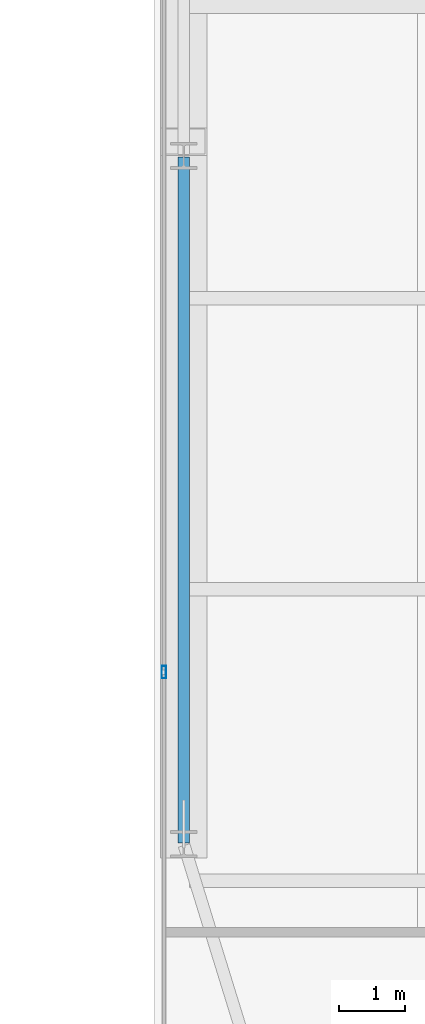
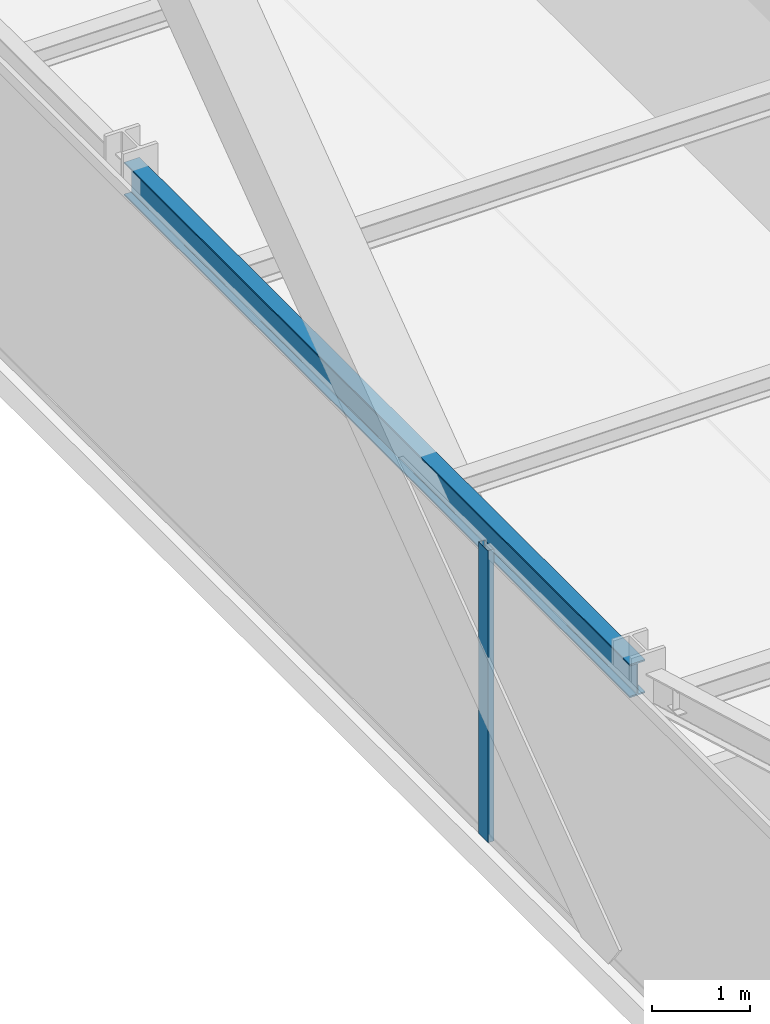
# One storey, part 7 of 34: 1 beam, 1 member, 1 element without a shape of its own.
"""IFC4 building model written with IfcOpenShell, lengths in metres."""

import ifcopenshell
import ifcopenshell.guid

model = None  # the IFC model being written
_history = None  # IfcOwnerHistory: only IFC2X3 demands one
_inside = {}  # id of a spatial element -> (the spatial element, [elements in it])
_under = {}  # id of a project, library or spatial element -> (it, [spatial elements below it])
_declared = {}  # id of a project -> (the project, [libraries it declares])
_typed = {}  # id of a type object -> (the type object, [elements of that type])
_made_of = {}  # id of a material, layer set ... -> (it, [elements and type objects made of it])


def new_model(schema):
    """Start an empty IFC model of exactly this schema.

    Asked for "IFC4X3", IfcOpenShell would pick the latest addendum, in which some entities
    have other attributes; the version numbers below select the first issue.
    IFC2X3 requires an IfcOwnerHistory on every rooted entity: one is made here for all.
    """
    global model, _history
    if schema == "IFC4X3":
        model = ifcopenshell.file(schema_version=(4, 3, 0, 0))
    else:
        model = ifcopenshell.file(schema=schema)
    _inside.clear()
    _under.clear()
    _declared.clear()
    _typed.clear()
    _made_of.clear()
    _history = None
    if model.schema == "IFC2X3":
        org = make("IfcOrganization", Name="unknown")
        user = make(
            "IfcPersonAndOrganization",
            ThePerson=make("IfcPerson", FamilyName="unknown"),
            TheOrganization=org,
        )
        app = make(
            "IfcApplication",
            ApplicationDeveloper=org,
            Version="unknown",
            ApplicationFullName="unknown",
            ApplicationIdentifier="unknown",
        )
        _history = make(
            "IfcOwnerHistory",
            OwningUser=user,
            OwningApplication=app,
            ChangeAction="ADDED",
            CreationDate=0,
        )
    return model


def make(cls, **values):
    """One entity of the class cls with the attributes given. An attribute that is None is left unset."""
    return model.create_entity(
        cls, **{name: value for name, value in values.items() if value is not None}
    )


def rooted(cls, **values):
    """An entity with a GlobalId (a new one), such as an element, a storey or a relation."""
    return make(cls, GlobalId=ifcopenshell.guid.new(), OwnerHistory=_history, **values)


def si_unit(unit_type, name, prefix=None):
    """IfcSIUnit, for example si_unit("LENGTHUNIT", "METRE", prefix="MILLI")."""
    return make("IfcSIUnit", UnitType=unit_type, Prefix=prefix, Name=name)


def assignment(units):
    """IfcUnitAssignment: the units of a project."""
    return None if units is None else make("IfcUnitAssignment", Units=units)


def point(xyz):
    """IfcCartesianPoint."""
    return None if xyz is None else make("IfcCartesianPoint", Coordinates=xyz)


def direction(xyz):
    """IfcDirection."""
    return None if xyz is None else make("IfcDirection", DirectionRatios=xyz)


def frame(location, z_axis=None, x_axis=None):
    """IfcAxis2Placement3D, a coordinate frame: its origin and axes. An axis left out is left unset."""
    return make(
        "IfcAxis2Placement3D",
        Location=point(location),
        Axis=direction(z_axis),
        RefDirection=direction(x_axis),
    )


def frame_2d(location, x_axis=None):
    """IfcAxis2Placement2D, a coordinate frame in the plane: its origin and x axis."""
    return make(
        "IfcAxis2Placement2D", Location=point(location), RefDirection=direction(x_axis)
    )


def origin():
    """The frame at (0, 0, 0) with its axes left unset."""
    return frame((0.0, 0.0, 0.0))


def origin_2d():
    """The frame at (0, 0) in the plane with its x axis left unset."""
    return frame_2d((0.0, 0.0))


def place(relative_to, where):
    """IfcLocalPlacement: puts the frame where relative to a parent placement (None: the world)."""
    return make(
        "IfcLocalPlacement", PlacementRelTo=relative_to, RelativePlacement=where
    )


def context(
    kind, dimensions, precision=None, world=None, true_north=None, identifier=None
):
    """IfcGeometricRepresentationContext, for example the 3D "Model" context."""
    return make(
        "IfcGeometricRepresentationContext",
        ContextIdentifier=identifier,
        ContextType=kind,
        CoordinateSpaceDimension=dimensions,
        Precision=precision,
        WorldCoordinateSystem=world,
        TrueNorth=true_north,
    )


def subcontext(parent, identifier, kind, view, scale=None):
    """IfcGeometricRepresentationSubContext, for example "Body" below "Model"."""
    return make(
        "IfcGeometricRepresentationSubContext",
        ContextIdentifier=identifier,
        ContextType=kind,
        ParentContext=parent,
        TargetScale=scale,
        TargetView=view,
    )


def project(units=None, contexts=None):
    """IfcProject with its units and contexts."""
    return rooted(
        "IfcProject",
        Name="project",
        RepresentationContexts=contexts,
        UnitsInContext=assignment(units),
    )


def spatial(cls, under=None, at=None, **own):
    """A site, building, storey or space (cls), placed at a placement, below another one or the project."""
    s = rooted(cls, ObjectPlacement=at, **own)
    if under is not None:
        _under.setdefault(under.id(), (under, []))[1].append(s)
    return s


def profile(cls, at=None, kind="AREA", **sizes):
    """A parametric profile (cls). Its sizes go by their IFC names, for example OverallWidth=200.0."""
    return make(cls, ProfileType=kind, Position=at, **sizes)


def hollow_rectangle(**sizes):
    """IfcRectangleHollowProfileDef."""
    return profile("IfcRectangleHollowProfileDef", **sizes)


def i_section(**sizes):
    """IfcIShapeProfileDef."""
    return profile("IfcIShapeProfileDef", **sizes)


def extrude(swept, where, along, depth):
    """IfcExtrudedAreaSolid: the profile swept, set in the frame where, extruded along a direction by depth."""
    return make(
        "IfcExtrudedAreaSolid",
        SweptArea=swept,
        Position=where,
        ExtrudedDirection=direction(along),
        Depth=depth,
    )


def shape(context_of_items, identifier, shape_type, items):
    """IfcShapeRepresentation: the items that make up one representation, for example the "Body"."""
    return make(
        "IfcShapeRepresentation",
        ContextOfItems=context_of_items,
        RepresentationIdentifier=identifier,
        RepresentationType=shape_type,
        Items=items,
    )


def source(mapping_origin, context_of_items, identifier, shape_type, items):
    """IfcRepresentationMap: a shape defined once, which mapped items show again and again."""
    return make(
        "IfcRepresentationMap",
        MappingOrigin=mapping_origin,
        MappedRepresentation=shape(context_of_items, identifier, shape_type, items),
    )


def transform(
    local_origin,
    x_axis=None,
    y_axis=None,
    z_axis=None,
    scale=None,
    scale2=None,
    scale3=None,
    uniform=True,
):
    """IfcCartesianTransformationOperator3D, or its non-uniform kind. x_axis, y_axis, z_axis: its Axis1, 2, 3."""
    if uniform:
        return make(
            "IfcCartesianTransformationOperator3D",
            Axis1=direction(x_axis),
            Axis2=direction(y_axis),
            LocalOrigin=point(local_origin),
            Scale=scale,
            Axis3=direction(z_axis),
        )
    return make(
        "IfcCartesianTransformationOperator3DnonUniform",
        Axis1=direction(x_axis),
        Axis2=direction(y_axis),
        LocalOrigin=point(local_origin),
        Scale=scale,
        Axis3=direction(z_axis),
        Scale2=scale2,
        Scale3=scale3,
    )


def mapped(mapping_source, mapping_target):
    """IfcMappedItem: shows the shape of a source again, moved by a transform."""
    return make(
        "IfcMappedItem", MappingSource=mapping_source, MappingTarget=mapping_target
    )


def material(Name=None, Category=None):
    """IfcMaterial."""
    return make("IfcMaterial", Name=Name, Category=Category)


def layer(
    of_material, thickness, ventilated=None, Name=None, Category=None, Priority=None
):
    """IfcMaterialLayer: one layer of a wall or slab, of a material (None: an air gap)."""
    return make(
        "IfcMaterialLayer",
        Material=of_material,
        LayerThickness=thickness,
        IsVentilated=ventilated,
        Name=Name,
        Category=Category,
        Priority=Priority,
    )


def layer_set(layers, Name=None):
    """IfcMaterialLayerSet."""
    return make("IfcMaterialLayerSet", MaterialLayers=layers, LayerSetName=Name)


def material_profile(
    of_material, cross_section, Name=None, Category=None, Priority=None
):
    """IfcMaterialProfile: a cross section and its material."""
    return make(
        "IfcMaterialProfile",
        Name=Name,
        Material=of_material,
        Profile=cross_section,
        Priority=Priority,
        Category=Category,
    )


def profile_set(profiles, Name=None, composite=None):
    """IfcMaterialProfileSet."""
    return make(
        "IfcMaterialProfileSet",
        Name=Name,
        MaterialProfiles=profiles,
        CompositeProfile=composite,
    )


def made_of(thing, what):
    """Note that an element or type object is made of a material, layer set ...; save() writes the relation."""
    if what is not None:
        _made_of.setdefault(what.id(), (what, []))[1].append(thing)
    return thing


def type_object(cls, material=None, **own):
    """A type object (cls), such as IfcWallType, which elements share."""
    return made_of(rooted(cls, **own), material)


def type_shapes(of_type, sources):
    """Give a type object the sources (RepresentationMaps) that its elements show as mapped items."""
    of_type.RepresentationMaps = sources


def element(
    cls,
    number,
    at=None,
    inside=None,
    cuts=None,
    type_object=None,
    material=None,
    context=None,
    identifier="Body",
    shape_type=None,
    held_by="IfcProductDefinitionShape",
    body=None,
    shapes=None,
    **own,
):
    """One element of the class cls, such as IfcWall. Its Tag is "e" and its number.

    at: its placement. inside: the storey or other place that contains it. cuts: it is an
    opening in that element (IfcRelVoidsElement). A single representation is given by context,
    identifier, shape_type and body (its items); several are given by shapes. held_by: the class
    of the entity that holds the representations. save() writes the other relations.
    """
    e = rooted(cls, Tag="e%d" % number, ObjectPlacement=at, **own)
    if body is not None:
        shapes = [shape(context, identifier, shape_type, body)]
    if shapes is not None:
        e.Representation = make(held_by, Representations=shapes)
    if inside is not None:
        _inside.setdefault(inside.id(), (inside, []))[1].append(e)
    if cuts is not None:
        rooted(
            "IfcRelVoidsElement", RelatingBuildingElement=cuts, RelatedOpeningElement=e
        )
    if type_object is not None:
        _typed.setdefault(type_object.id(), (type_object, []))[1].append(e)
    return made_of(e, material)


def aggregate(whole, parts):
    """IfcRelAggregates: a whole, such as a stair, and the parts it consists of."""
    return rooted("IfcRelAggregates", RelatingObject=whole, RelatedObjects=parts)


def save(model, path):
    """Write the relations noted so far, then the file.

    IfcRelAggregates (storeys below a building ...), IfcRelContainedInSpatialStructure (elements
    in a storey), IfcRelDefinesByType, IfcRelAssociatesMaterial and IfcRelDeclares: one each for
    every whole, place, type object, material and project.
    """
    for whole, parts in _under.values():
        aggregate(whole, parts)
    for where, things in _inside.values():
        rooted(
            "IfcRelContainedInSpatialStructure",
            RelatedElements=things,
            RelatingStructure=where,
        )
    for kind, things in _typed.values():
        rooted("IfcRelDefinesByType", RelatedObjects=things, RelatingType=kind)
    for what, things in _made_of.values():
        rooted("IfcRelAssociatesMaterial", RelatedObjects=things, RelatingMaterial=what)
    for by, libraries in _declared.values():
        rooted("IfcRelDeclares", RelatingContext=by, RelatedDefinitions=libraries)
    model.write(path)


model = new_model("IFC4")

# Units and contexts
model_context = context("Model", 3, precision=1e-05, world=origin(), true_north=direction((0.0, 1.0)))
body_context = subcontext(model_context, "Body", "Model", "MODEL_VIEW")
ifc_project = project(units=[si_unit("LENGTHUNIT", "METRE"), si_unit("AREAUNIT", "SQUARE_METRE"), si_unit("VOLUMEUNIT", "CUBIC_METRE"), si_unit("PLANEANGLEUNIT", "RADIAN"), si_unit("MASSUNIT", "GRAM", prefix="KILO")], contexts=[model_context])

# Site, building, storey
site_placement = place(None, origin())
site = spatial("IfcSite", under=ifc_project, at=site_placement, CompositionType="ELEMENT")
building_placement = place(site_placement, origin())
building = spatial("IfcBuilding", under=site, at=building_placement, Name="Varnel Quay Broadcast Tower", CompositionType="ELEMENT")
storey_placement = place(building_placement, frame((0.0, 0.0, 27.60009765625)))
storey = spatial("IfcBuildingStorey", under=building, at=storey_placement, Name="L05", CompositionType="ELEMENT", Elevation=27.60009765625)

# Beam
ifc_material_1 = material(Name="Structural Steel CSA G40.21 350W", Category="steel")
ifc_material_profile_1 = material_profile(ifc_material_1, i_section(OverallWidth=0.180908203125, OverallDepth=0.4169921875, WebThickness=0.010986328125, FlangeThickness=0.018310546875, FilletRadius=0.011962890625, at=origin_2d()), Name="W410X85")
ifc_profile_set_1 = profile_set([ifc_material_profile_1], Name="Structural Steel CSA G40.21 350W")
beam_type = type_object("IfcBeamType", Name="Beam_W410X85", PredefinedType="SPANDREL", material=ifc_profile_set_1)
shared_shape_1 = source(origin(), body_context, "Body", "SweptSolid", [
    extrude(i_section(OverallWidth=0.180908203125, OverallDepth=0.4169921875, WebThickness=0.010986328125, FlangeThickness=0.018310546875, FilletRadius=0.011962890625, at=origin_2d()), origin(), (0.0, 0.0, 1.0), 10.35986328125),
])
type_shapes(beam_type, [shared_shape_1])
beam_placement = place(storey_placement, frame((2.449951171875, 15.02001953125, 3.44140625), z_axis=(0.0, 1.0, 0.0), x_axis=(-1.0, 0.0, 0.0)))
element("IfcBeam", 1, at=beam_placement, inside=storey, type_object=beam_type, Name="L05 West Spandrel TC-W1-TC-W2", PredefinedType="SPANDREL", context=body_context, shape_type="MappedRepresentation", body=[
    mapped(shared_shape_1, transform((0.0, 0.0, 0.0), x_axis=(1.0, 0.0, 0.0), y_axis=(0.0, 1.0, 0.0), z_axis=(0.0, 0.0, 1.0), scale=1.0)),
])

# Curtain wall, member
ifc_material_2 = material(Name="Anodised Bronze Aluminium 6063-T6", Category="aluminium")
ifc_layer = layer(ifc_material_2, 0.18994140625, Name="Anodised Bronze Aluminium 6063-T6")
ifc_layer_set = layer_set([ifc_layer], Name="Anodised Bronze Aluminium 6063-T6")
curtain_wall_type = type_object("IfcCurtainWallType", Name="CW_LowerTower", PredefinedType="NOTDEFINED", material=ifc_layer_set)
curtain_wall_placement = place(storey_placement, origin())
curtain_wall = element("IfcCurtainWall", 2, at=curtain_wall_placement, inside=storey, type_object=curtain_wall_type, Name="L05 West Unitised Curtain Wall", PredefinedType="NOTDEFINED")
ifc_material_profile_2 = material_profile(ifc_material_2, hollow_rectangle(XDim=0.070068359375, YDim=0.18994140625, WallThickness=0.00390625, at=origin_2d()), Name="ALU70X190X4")
ifc_profile_set_2 = profile_set([ifc_material_profile_2], Name="Anodised Bronze Aluminium 6063-T6")
member_type = type_object("IfcMemberType", Name="Mull_CWS-02", PredefinedType="MULLION", material=ifc_profile_set_2)
shared_shape_2 = source(origin(), body_context, "Body", "SweptSolid", [
    extrude(hollow_rectangle(XDim=0.070068359375, YDim=0.18994140625, WallThickness=0.00390625, at=origin_2d()), origin(), (0.0, 0.0, 1.0), 3.64990234375),
])
type_shapes(member_type, [shared_shape_2])
member_placement = place(storey_placement, frame((2.14990234375, 17.60009765625, 0.0), z_axis=(0.0, 0.0, 1.0), x_axis=(-1.0, 0.0, 0.0)))
member = element("IfcMember", 3, at=member_placement, type_object=member_type, Name="CWS-02 mullion 2", PredefinedType="MULLION", context=body_context, shape_type="MappedRepresentation", body=[
    mapped(shared_shape_2, transform((0.0, 0.0, 0.0), x_axis=(1.0, 0.0, 0.0), y_axis=(0.0, 1.0, 0.0), z_axis=(0.0, 0.0, 1.0), scale=1.0)),
])
aggregate(curtain_wall, [member])

save(model, "model.ifc")
